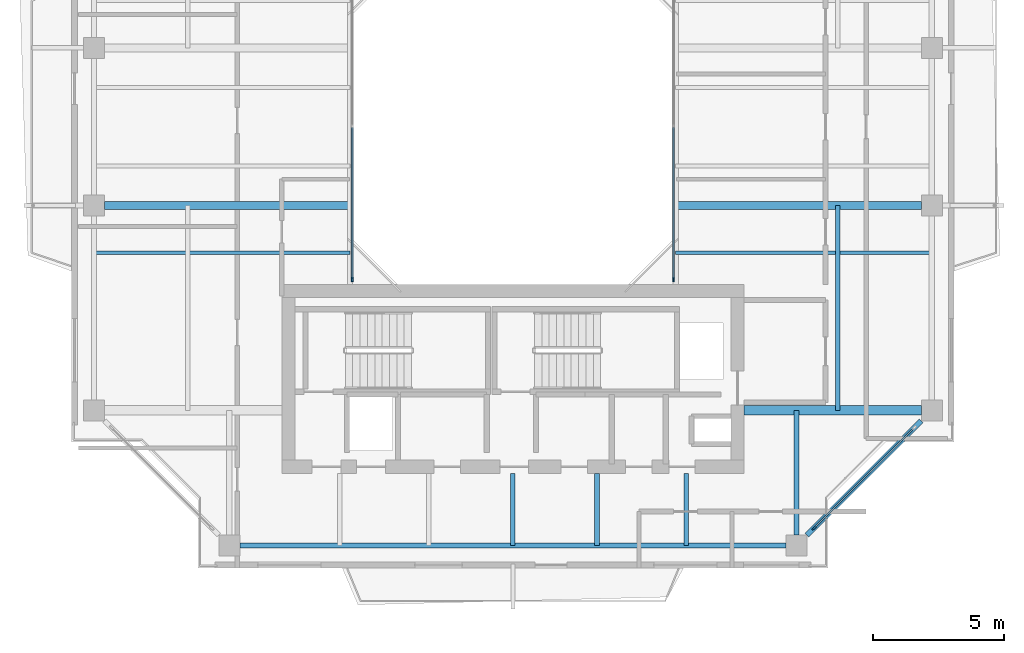
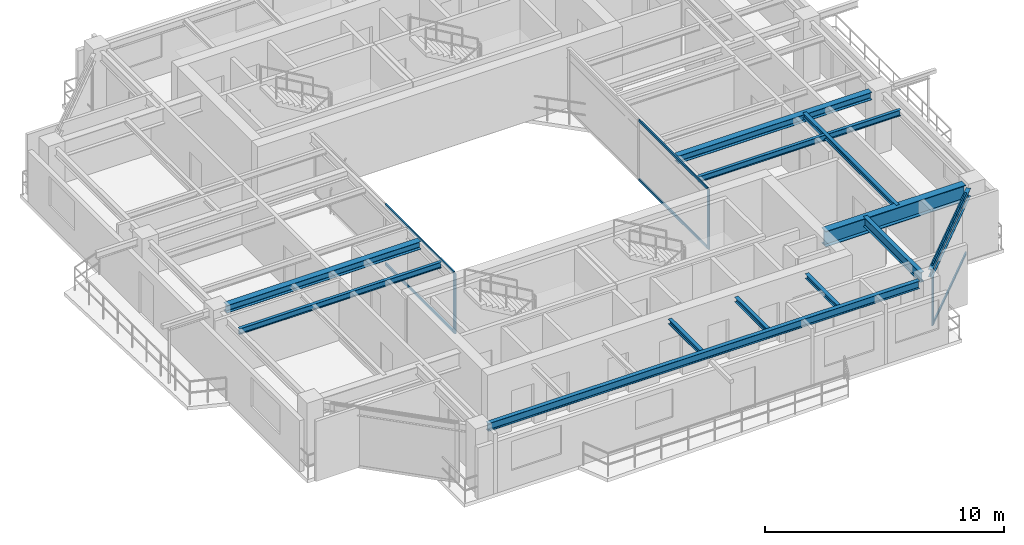
# One storey, part 4 of 15: 12 beams, 9 members, 3 elements without a shape of their own.
"""IFC4 building model written with IfcOpenShell, lengths in metres."""

import ifcopenshell
import ifcopenshell.guid

model = None  # the IFC model being written
_history = None  # IfcOwnerHistory: only IFC2X3 demands one
_inside = {}  # id of a spatial element -> (the spatial element, [elements in it])
_under = {}  # id of a project, library or spatial element -> (it, [spatial elements below it])
_declared = {}  # id of a project -> (the project, [libraries it declares])
_typed = {}  # id of a type object -> (the type object, [elements of that type])
_made_of = {}  # id of a material, layer set ... -> (it, [elements and type objects made of it])


def new_model(schema):
    """Start an empty IFC model of exactly this schema.

    Asked for "IFC4X3", IfcOpenShell would pick the latest addendum, in which some entities
    have other attributes; the version numbers below select the first issue.
    IFC2X3 requires an IfcOwnerHistory on every rooted entity: one is made here for all.
    """
    global model, _history
    if schema == "IFC4X3":
        model = ifcopenshell.file(schema_version=(4, 3, 0, 0))
    else:
        model = ifcopenshell.file(schema=schema)
    _inside.clear()
    _under.clear()
    _declared.clear()
    _typed.clear()
    _made_of.clear()
    _history = None
    if model.schema == "IFC2X3":
        org = make("IfcOrganization", Name="unknown")
        user = make(
            "IfcPersonAndOrganization",
            ThePerson=make("IfcPerson", FamilyName="unknown"),
            TheOrganization=org,
        )
        app = make(
            "IfcApplication",
            ApplicationDeveloper=org,
            Version="unknown",
            ApplicationFullName="unknown",
            ApplicationIdentifier="unknown",
        )
        _history = make(
            "IfcOwnerHistory",
            OwningUser=user,
            OwningApplication=app,
            ChangeAction="ADDED",
            CreationDate=0,
        )
    return model


def make(cls, **values):
    """One entity of the class cls with the attributes given. An attribute that is None is left unset."""
    return model.create_entity(
        cls, **{name: value for name, value in values.items() if value is not None}
    )


def rooted(cls, **values):
    """An entity with a GlobalId (a new one), such as an element, a storey or a relation."""
    return make(cls, GlobalId=ifcopenshell.guid.new(), OwnerHistory=_history, **values)


def si_unit(unit_type, name, prefix=None):
    """IfcSIUnit, for example si_unit("LENGTHUNIT", "METRE", prefix="MILLI")."""
    return make("IfcSIUnit", UnitType=unit_type, Prefix=prefix, Name=name)


def assignment(units):
    """IfcUnitAssignment: the units of a project."""
    return None if units is None else make("IfcUnitAssignment", Units=units)


def point(xyz):
    """IfcCartesianPoint."""
    return None if xyz is None else make("IfcCartesianPoint", Coordinates=xyz)


def direction(xyz):
    """IfcDirection."""
    return None if xyz is None else make("IfcDirection", DirectionRatios=xyz)


def frame(location, z_axis=None, x_axis=None):
    """IfcAxis2Placement3D, a coordinate frame: its origin and axes. An axis left out is left unset."""
    return make(
        "IfcAxis2Placement3D",
        Location=point(location),
        Axis=direction(z_axis),
        RefDirection=direction(x_axis),
    )


def frame_2d(location, x_axis=None):
    """IfcAxis2Placement2D, a coordinate frame in the plane: its origin and x axis."""
    return make(
        "IfcAxis2Placement2D", Location=point(location), RefDirection=direction(x_axis)
    )


def origin():
    """The frame at (0, 0, 0) with its axes left unset."""
    return frame((0.0, 0.0, 0.0))


def origin_2d():
    """The frame at (0, 0) in the plane with its x axis left unset."""
    return frame_2d((0.0, 0.0))


def place(relative_to, where):
    """IfcLocalPlacement: puts the frame where relative to a parent placement (None: the world)."""
    return make(
        "IfcLocalPlacement", PlacementRelTo=relative_to, RelativePlacement=where
    )


def context(
    kind, dimensions, precision=None, world=None, true_north=None, identifier=None
):
    """IfcGeometricRepresentationContext, for example the 3D "Model" context."""
    return make(
        "IfcGeometricRepresentationContext",
        ContextIdentifier=identifier,
        ContextType=kind,
        CoordinateSpaceDimension=dimensions,
        Precision=precision,
        WorldCoordinateSystem=world,
        TrueNorth=true_north,
    )


def subcontext(parent, identifier, kind, view, scale=None):
    """IfcGeometricRepresentationSubContext, for example "Body" below "Model"."""
    return make(
        "IfcGeometricRepresentationSubContext",
        ContextIdentifier=identifier,
        ContextType=kind,
        ParentContext=parent,
        TargetScale=scale,
        TargetView=view,
    )


def project(units=None, contexts=None):
    """IfcProject with its units and contexts."""
    return rooted(
        "IfcProject",
        Name="project",
        RepresentationContexts=contexts,
        UnitsInContext=assignment(units),
    )


def spatial(cls, under=None, at=None, **own):
    """A site, building, storey or space (cls), placed at a placement, below another one or the project."""
    s = rooted(cls, ObjectPlacement=at, **own)
    if under is not None:
        _under.setdefault(under.id(), (under, []))[1].append(s)
    return s


def profile(cls, at=None, kind="AREA", **sizes):
    """A parametric profile (cls). Its sizes go by their IFC names, for example OverallWidth=200.0."""
    return make(cls, ProfileType=kind, Position=at, **sizes)


def rectangle(**sizes):
    """IfcRectangleProfileDef."""
    return profile("IfcRectangleProfileDef", **sizes)


def i_section(**sizes):
    """IfcIShapeProfileDef."""
    return profile("IfcIShapeProfileDef", **sizes)


def extrude(swept, where, along, depth):
    """IfcExtrudedAreaSolid: the profile swept, set in the frame where, extruded along a direction by depth."""
    return make(
        "IfcExtrudedAreaSolid",
        SweptArea=swept,
        Position=where,
        ExtrudedDirection=direction(along),
        Depth=depth,
    )


def shape(context_of_items, identifier, shape_type, items):
    """IfcShapeRepresentation: the items that make up one representation, for example the "Body"."""
    return make(
        "IfcShapeRepresentation",
        ContextOfItems=context_of_items,
        RepresentationIdentifier=identifier,
        RepresentationType=shape_type,
        Items=items,
    )


def source(mapping_origin, context_of_items, identifier, shape_type, items):
    """IfcRepresentationMap: a shape defined once, which mapped items show again and again."""
    return make(
        "IfcRepresentationMap",
        MappingOrigin=mapping_origin,
        MappedRepresentation=shape(context_of_items, identifier, shape_type, items),
    )


def transform(
    local_origin,
    x_axis=None,
    y_axis=None,
    z_axis=None,
    scale=None,
    scale2=None,
    scale3=None,
    uniform=True,
):
    """IfcCartesianTransformationOperator3D, or its non-uniform kind. x_axis, y_axis, z_axis: its Axis1, 2, 3."""
    if uniform:
        return make(
            "IfcCartesianTransformationOperator3D",
            Axis1=direction(x_axis),
            Axis2=direction(y_axis),
            LocalOrigin=point(local_origin),
            Scale=scale,
            Axis3=direction(z_axis),
        )
    return make(
        "IfcCartesianTransformationOperator3DnonUniform",
        Axis1=direction(x_axis),
        Axis2=direction(y_axis),
        LocalOrigin=point(local_origin),
        Scale=scale,
        Axis3=direction(z_axis),
        Scale2=scale2,
        Scale3=scale3,
    )


def mapped(mapping_source, mapping_target):
    """IfcMappedItem: shows the shape of a source again, moved by a transform."""
    return make(
        "IfcMappedItem", MappingSource=mapping_source, MappingTarget=mapping_target
    )


def material(Name=None, Category=None):
    """IfcMaterial."""
    return make("IfcMaterial", Name=Name, Category=Category)


def layer(
    of_material, thickness, ventilated=None, Name=None, Category=None, Priority=None
):
    """IfcMaterialLayer: one layer of a wall or slab, of a material (None: an air gap)."""
    return make(
        "IfcMaterialLayer",
        Material=of_material,
        LayerThickness=thickness,
        IsVentilated=ventilated,
        Name=Name,
        Category=Category,
        Priority=Priority,
    )


def layer_set(layers, Name=None):
    """IfcMaterialLayerSet."""
    return make("IfcMaterialLayerSet", MaterialLayers=layers, LayerSetName=Name)


def material_profile(
    of_material, cross_section, Name=None, Category=None, Priority=None
):
    """IfcMaterialProfile: a cross section and its material."""
    return make(
        "IfcMaterialProfile",
        Name=Name,
        Material=of_material,
        Profile=cross_section,
        Priority=Priority,
        Category=Category,
    )


def profile_set(profiles, Name=None, composite=None):
    """IfcMaterialProfileSet."""
    return make(
        "IfcMaterialProfileSet",
        Name=Name,
        MaterialProfiles=profiles,
        CompositeProfile=composite,
    )


def made_of(thing, what):
    """Note that an element or type object is made of a material, layer set ...; save() writes the relation."""
    if what is not None:
        _made_of.setdefault(what.id(), (what, []))[1].append(thing)
    return thing


def type_object(cls, material=None, **own):
    """A type object (cls), such as IfcWallType, which elements share."""
    return made_of(rooted(cls, **own), material)


def element(
    cls,
    number,
    at=None,
    inside=None,
    cuts=None,
    type_object=None,
    material=None,
    context=None,
    identifier="Body",
    shape_type=None,
    held_by="IfcProductDefinitionShape",
    body=None,
    shapes=None,
    **own,
):
    """One element of the class cls, such as IfcWall. Its Tag is "e" and its number.

    at: its placement. inside: the storey or other place that contains it. cuts: it is an
    opening in that element (IfcRelVoidsElement). A single representation is given by context,
    identifier, shape_type and body (its items); several are given by shapes. held_by: the class
    of the entity that holds the representations. save() writes the other relations.
    """
    e = rooted(cls, Tag="e%d" % number, ObjectPlacement=at, **own)
    if body is not None:
        shapes = [shape(context, identifier, shape_type, body)]
    if shapes is not None:
        e.Representation = make(held_by, Representations=shapes)
    if inside is not None:
        _inside.setdefault(inside.id(), (inside, []))[1].append(e)
    if cuts is not None:
        rooted(
            "IfcRelVoidsElement", RelatingBuildingElement=cuts, RelatedOpeningElement=e
        )
    if type_object is not None:
        _typed.setdefault(type_object.id(), (type_object, []))[1].append(e)
    return made_of(e, material)


def aggregate(whole, parts):
    """IfcRelAggregates: a whole, such as a stair, and the parts it consists of."""
    return rooted("IfcRelAggregates", RelatingObject=whole, RelatedObjects=parts)


def save(model, path):
    """Write the relations noted so far, then the file.

    IfcRelAggregates (storeys below a building ...), IfcRelContainedInSpatialStructure (elements
    in a storey), IfcRelDefinesByType, IfcRelAssociatesMaterial and IfcRelDeclares: one each for
    every whole, place, type object, material and project.
    """
    for whole, parts in _under.values():
        aggregate(whole, parts)
    for where, things in _inside.values():
        rooted(
            "IfcRelContainedInSpatialStructure",
            RelatedElements=things,
            RelatingStructure=where,
        )
    for kind, things in _typed.values():
        rooted("IfcRelDefinesByType", RelatedObjects=things, RelatingType=kind)
    for what, things in _made_of.values():
        rooted("IfcRelAssociatesMaterial", RelatedObjects=things, RelatingMaterial=what)
    for by, libraries in _declared.values():
        rooted("IfcRelDeclares", RelatingContext=by, RelatedDefinitions=libraries)
    model.write(path)


model = new_model("IFC4")

# Units and contexts
model_context = context("Model", 3, precision=1e-05, world=origin(), true_north=direction((0.0, 1.0)))
body_context = subcontext(model_context, "Body", "Model", "MODEL_VIEW")
ifc_project = project(units=[si_unit("LENGTHUNIT", "METRE"), si_unit("AREAUNIT", "SQUARE_METRE"), si_unit("VOLUMEUNIT", "CUBIC_METRE"), si_unit("PLANEANGLEUNIT", "RADIAN"), si_unit("MASSUNIT", "GRAM", prefix="KILO"), si_unit("THERMODYNAMICTEMPERATUREUNIT", "KELVIN"), si_unit("POWERUNIT", "WATT")], contexts=[model_context])

# Site, building, storey
site_placement = place(None, origin())
site = spatial("IfcSite", under=ifc_project, at=site_placement, CompositionType="ELEMENT")
building_placement = place(site_placement, origin())
building = spatial("IfcBuilding", under=site, at=building_placement, Name="Qiaomeng Ring Towers", CompositionType="ELEMENT")
storey_placement = place(building_placement, frame((0.0, 0.0, 219.75)))
storey = spatial("IfcBuildingStorey", under=building, at=storey_placement, Name="L64", CompositionType="ELEMENT", Elevation=219.75)

# Beams
ifc_material_1 = material(Name="Steel Q355B", Category="steel")
ifc_material_profile_1 = material_profile(ifc_material_1, i_section(OverallWidth=0.198974609375, OverallDepth=0.39599609375, WebThickness=0.007080078125, FlangeThickness=0.010986328125, FilletRadius=0.01611328125, at=origin_2d()), Name="HN 396x199x7x11")
ifc_profile_set_1 = profile_set([ifc_material_profile_1], Name="Steel Q355B")
beam_type_1 = type_object("IfcBeamType", Name="STR-BM-HN396", PredefinedType="SPANDREL", material=ifc_profile_set_1)
shared_shape_1 = source(origin(), body_context, "Body", "SweptSolid", [
    extrude(i_section(OverallWidth=0.198974609375, OverallDepth=0.39599609375, WebThickness=0.007080078125, FlangeThickness=0.010986328125, FilletRadius=0.01611328125, at=origin_2d()), origin(), (0.0, 0.0, 1.0), 20.8017578125),
])
beam_1_placement = place(storey_placement, frame((8.59912109375, 7.050048828125, 2.8720703125), z_axis=(1.0, 0.0, 0.0), x_axis=(0.0, 1.0, 0.0)))
element("IfcBeam", 1, at=beam_1_placement, inside=storey, type_object=beam_type_1, Name="L64 beam STR-SP-L64-T1-S1-S2", PredefinedType="SPANDREL", context=body_context, shape_type="MappedRepresentation", body=[
    mapped(shared_shape_1, transform((0.0, 0.0, 0.0), x_axis=(1.0, 0.0, 0.0), y_axis=(0.0, 1.0, 0.0), z_axis=(0.0, 0.0, 1.0), scale=1.0)),
])
shared_shape_2 = source(origin(), body_context, "Body", "SweptSolid", [
    extrude(i_section(OverallWidth=0.198974609375, OverallDepth=0.39599609375, WebThickness=0.007080078125, FlangeThickness=0.010986328125, FilletRadius=0.01611328125, at=origin_2d()), origin(), (0.0, 0.0, 1.0), 6.154052734375),
])
beam_2_placement = place(storey_placement, frame((30.19921875, 7.44921875, 2.8720703125), z_axis=(0.707106781187, 0.707106781187, 0.0), x_axis=(-0.707106781187, 0.707106781187, 0.0)))
element("IfcBeam", 2, at=beam_2_placement, inside=storey, type_object=beam_type_1, Name="L64 beam STR-SP-L64-T1-S2-E1", PredefinedType="SPANDREL", context=body_context, shape_type="MappedRepresentation", body=[
    mapped(shared_shape_2, transform((0.0, 0.0, 0.0), x_axis=(1.0, 0.0, 0.0), y_axis=(0.0, 1.0, 0.0), z_axis=(0.0, 0.0, 1.0), scale=1.0)),
])
ifc_material_2 = material(Name="Steel Q390GJC", Category="steel")
ifc_material_profile_2 = material_profile(ifc_material_2, i_section(OverallWidth=0.35009765625, OverallDepth=0.800048828125, WebThickness=0.01611328125, FlangeThickness=0.028076171875, at=origin_2d()), Name="WH 800x350x16x28")
ifc_profile_set_2 = profile_set([ifc_material_profile_2], Name="Steel Q390GJC")
beam_type_2 = type_object("IfcBeamType", Name="STR-BM-WH800", PredefinedType="BEAM", material=ifc_profile_set_2)
shared_shape_3 = source(origin(), body_context, "Body", "SweptSolid", [
    extrude(i_section(OverallWidth=0.35009765625, OverallDepth=0.800048828125, WebThickness=0.01611328125, FlangeThickness=0.028076171875, at=origin_2d()), origin(), (0.0, 0.0, 1.0), 6.7509765625),
])
beam_3_placement = place(storey_placement, frame((27.800048828125, 12.199951171875, 2.669921875), z_axis=(1.0, 0.0, 0.0), x_axis=(0.0, 1.0, 0.0)))
element("IfcBeam", 3, at=beam_3_placement, inside=storey, type_object=beam_type_2, Name="L64 beam STR-BM-L64-T1-RAD-E1", PredefinedType="BEAM", context=body_context, shape_type="MappedRepresentation", body=[
    mapped(shared_shape_3, transform((0.0, 0.0, 0.0), x_axis=(1.0, 0.0, 0.0), y_axis=(0.0, 1.0, 0.0), z_axis=(0.0, 0.0, 1.0), scale=1.0)),
])
ifc_material_profile_3 = material_profile(ifc_material_1, i_section(OverallWidth=0.300048828125, OverallDepth=0.389892578125, WebThickness=0.010009765625, FlangeThickness=0.01611328125, FilletRadius=0.02197265625, at=origin_2d()), Name="HM 390x300x10x16")
ifc_profile_set_3 = profile_set([ifc_material_profile_3], Name="Steel Q355B")
beam_type_3 = type_object("IfcBeamType", Name="STR-BM-HM390", PredefinedType="BEAM", material=ifc_profile_set_3)
shared_shape_4 = source(origin(), body_context, "Body", "SweptSolid", [
    extrude(i_section(OverallWidth=0.300048828125, OverallDepth=0.389892578125, WebThickness=0.010009765625, FlangeThickness=0.01611328125, FilletRadius=0.02197265625, at=origin_2d()), origin(), (0.0, 0.0, 1.0), 9.35107421875),
])
for number, where, z_axis, x_axis, name in (
    (4, (3.448974609375, 20.0, 2.875), (1.0, 0.0, 0.0), (0.0, 1.0, 0.0), "L64 beam STR-BM-L64-T1-RAD-W2"),
    (5, (25.199951171875, 20.0, 2.875), (1.0, 0.0, 0.0), (0.0, 1.0, 0.0), "L64 beam STR-BM-L64-T1-RAD-E2"),
):
    element("IfcBeam", number, at=place(storey_placement, frame(where, z_axis=z_axis, x_axis=x_axis)), inside=storey, type_object=beam_type_3, Name=name, PredefinedType="BEAM", context=body_context, shape_type="MappedRepresentation", body=[
        mapped(shared_shape_4, transform((0.0, 0.0, 0.0), x_axis=(1.0, 0.0, 0.0), y_axis=(0.0, 1.0, 0.0), z_axis=(0.0, 0.0, 1.0), scale=1.0)),
    ])
ifc_material_profile_4 = material_profile(ifc_material_1, i_section(OverallWidth=0.175048828125, OverallDepth=0.243896484375, WebThickness=0.007080078125, FlangeThickness=0.010986328125, FilletRadius=0.01611328125, at=origin_2d()), Name="HM 244x175x7x11")
ifc_profile_set_4 = profile_set([ifc_material_profile_4], Name="Steel Q355B")
beam_type_4 = type_object("IfcBeamType", Name="STR-BM-HM244", PredefinedType="JOIST", material=ifc_profile_set_4)
shared_shape_5 = source(origin(), body_context, "Body", "SweptSolid", [
    extrude(i_section(OverallWidth=0.175048828125, OverallDepth=0.243896484375, WebThickness=0.007080078125, FlangeThickness=0.010986328125, FilletRadius=0.01611328125, at=origin_2d()), origin(), (0.0, 0.0, 1.0), 2.75),
])
for number, where, z_axis, x_axis, name in (
    (6, (19.0, 7.050048828125, 2.947998046875), (0.0, 1.0, 0.0), (-1.0, 0.0, 0.0), "L64 beam STR-JST-L64-T1S-3"),
    (7, (22.199951171875, 7.050048828125, 2.947998046875), (0.0, 1.0, 0.0), (-1.0, 0.0, 0.0), "L64 beam STR-JST-L64-T1S-4"),
    (8, (25.60009765625, 7.050048828125, 2.947998046875), (0.0, 1.0, 0.0), (-1.0, 0.0, 0.0), "L64 beam STR-JST-L64-T1S-5"),
):
    element("IfcBeam", number, at=place(storey_placement, frame(where, z_axis=z_axis, x_axis=x_axis)), inside=storey, type_object=beam_type_4, Name=name, PredefinedType="JOIST", context=body_context, shape_type="MappedRepresentation", body=[
        mapped(shared_shape_5, transform((0.0, 0.0, 0.0), x_axis=(1.0, 0.0, 0.0), y_axis=(0.0, 1.0, 0.0), z_axis=(0.0, 0.0, 1.0), scale=1.0)),
    ])
ifc_material_profile_5 = material_profile(ifc_material_1, i_section(OverallWidth=0.14990234375, OverallDepth=0.300048828125, WebThickness=0.006591796875, FlangeThickness=0.009033203125, FilletRadius=0.012939453125, at=origin_2d()), Name="HN 300x150x6.5x9")
ifc_profile_set_5 = profile_set([ifc_material_profile_5], Name="Steel Q355B")
beam_type_5 = type_object("IfcBeamType", Name="STR-BM-HN300", PredefinedType="JOIST", material=ifc_profile_set_5)
shared_shape_6 = source(origin(), body_context, "Body", "SweptSolid", [
    extrude(i_section(OverallWidth=0.14990234375, OverallDepth=0.300048828125, WebThickness=0.006591796875, FlangeThickness=0.009033203125, FilletRadius=0.012939453125, at=origin_2d()), origin(), (0.0, 0.0, 1.0), 9.75),
])
for number, where, z_axis, x_axis, name in (
    (9, (3.050048828125, 18.199951171875, 2.919921875), (1.0, 0.0, 0.0), (0.0, 1.0, 0.0), "L64 beam STR-JST-L64-T1W-1"),
    (10, (25.199951171875, 18.199951171875, 2.919921875), (1.0, 0.0, 0.0), (0.0, 1.0, 0.0), "L64 beam STR-JST-L64-T1E-1"),
):
    element("IfcBeam", number, at=place(storey_placement, frame(where, z_axis=z_axis, x_axis=x_axis)), inside=storey, type_object=beam_type_5, Name=name, PredefinedType="JOIST", context=body_context, shape_type="MappedRepresentation", body=[
        mapped(shared_shape_6, transform((0.0, 0.0, 0.0), x_axis=(1.0, 0.0, 0.0), y_axis=(0.0, 1.0, 0.0), z_axis=(0.0, 0.0, 1.0), scale=1.0)),
    ])
shared_shape_7 = source(origin(), body_context, "Body", "SweptSolid", [
    extrude(i_section(OverallWidth=0.175048828125, OverallDepth=0.243896484375, WebThickness=0.007080078125, FlangeThickness=0.010986328125, FilletRadius=0.01611328125, at=origin_2d()), origin(), (0.0, 0.0, 1.0), 7.800048828125),
])
beam_4_placement = place(storey_placement, frame((31.375, 12.199951171875, 2.947998046875), z_axis=(0.0, 1.0, 0.0), x_axis=(-1.0, 0.0, 0.0)))
element("IfcBeam", 11, at=beam_4_placement, inside=storey, type_object=beam_type_4, Name="L64 beam STR-JST-L64-T1C-ES", PredefinedType="JOIST", context=body_context, shape_type="MappedRepresentation", body=[
    mapped(shared_shape_7, transform((0.0, 0.0, 0.0), x_axis=(1.0, 0.0, 0.0), y_axis=(0.0, 1.0, 0.0), z_axis=(0.0, 0.0, 1.0), scale=1.0)),
])
ifc_material_profile_6 = material_profile(ifc_material_1, i_section(OverallWidth=0.198974609375, OverallDepth=0.49609375, WebThickness=0.009033203125, FlangeThickness=0.013916015625, FilletRadius=0.01806640625, at=origin_2d()), Name="HN 496x199x9x14")
ifc_profile_set_6 = profile_set([ifc_material_profile_6], Name="Steel Q355B")
beam_type_6 = type_object("IfcBeamType", Name="STR-BM-HN496", PredefinedType="BEAM", material=ifc_profile_set_6)
shared_shape_8 = source(origin(), body_context, "Body", "SweptSolid", [
    extrude(i_section(OverallWidth=0.198974609375, OverallDepth=0.49609375, WebThickness=0.009033203125, FlangeThickness=0.013916015625, FilletRadius=0.01806640625, at=origin_2d()), origin(), (0.0, 0.0, 1.0), 4.7509765625),
])
beam_5_placement = place(storey_placement, frame((29.800048828125, 7.448974609375, 2.822021484375), z_axis=(0.0, 1.0, 0.0), x_axis=(-1.0, 0.0, 0.0)))
element("IfcBeam", 12, at=beam_5_placement, inside=storey, type_object=beam_type_6, Name="L64 beam STR-BM-L64-T1-RAD-S2", PredefinedType="BEAM", context=body_context, shape_type="MappedRepresentation", body=[
    mapped(shared_shape_8, transform((0.0, 0.0, 0.0), x_axis=(1.0, 0.0, 0.0), y_axis=(0.0, 1.0, 0.0), z_axis=(0.0, 0.0, 1.0), scale=1.0)),
])

# Curtain wall, member
ifc_material_3 = material(Name="Fluorocarbon dark-grey aluminium", Category="aluminium")
ifc_layer_1 = layer(ifc_material_3, 0.139892578125, Name="Fluorocarbon dark-grey aluminium")
ifc_layer_set_1 = layer_set([ifc_layer_1], Name="Fluorocarbon dark-grey aluminium")
curtain_wall_type_1 = type_object("IfcCurtainWallType", Name="ARC-CW-4", PredefinedType="NOTDEFINED", material=ifc_layer_set_1)
curtain_wall_1_placement = place(storey_placement, origin())
curtain_wall_1 = element("IfcCurtainWall", 13, at=curtain_wall_1_placement, inside=storey, type_object=curtain_wall_type_1, Name="L64 Curtain Wall CW4", PredefinedType="NOTDEFINED")
ifc_material_profile_7 = material_profile(ifc_material_3, rectangle(XDim=0.06494140625, YDim=0.159912109375, at=origin_2d()), Name="ALU MULL 65x160")
ifc_profile_set_7 = profile_set([ifc_material_profile_7], Name="Fluorocarbon dark-grey aluminium")
member_type_1 = type_object("IfcMemberType", Name="ARC-CWM-140", PredefinedType="MULLION", material=ifc_profile_set_7)
shared_shape_9 = source(origin(), body_context, "Body", "SweptSolid", [
    extrude(rectangle(XDim=0.06494140625, YDim=0.159912109375, at=origin_2d()), origin(), (0.0, 0.0, 1.0), 3.070068359375),
])
member_1_placement = place(storey_placement, frame((12.8798828125, 17.1826171875, 0.0), z_axis=(0.0, 0.0, 1.0), x_axis=(-1.0, 0.0, 0.0)))
member_1 = element("IfcMember", 14, at=member_1_placement, type_object=member_type_1, Name="CW4 mullion 1", PredefinedType="MULLION", context=body_context, shape_type="MappedRepresentation", body=[
    mapped(shared_shape_9, transform((0.0, 0.0, 0.0), x_axis=(1.0, 0.0, 0.0), y_axis=(0.0, 1.0, 0.0), z_axis=(0.0, 0.0, 1.0), scale=1.0)),
])

curtain_wall_2_placement = place(storey_placement, origin())
curtain_wall_2 = element("IfcCurtainWall", 15, at=curtain_wall_2_placement, inside=storey, type_object=curtain_wall_type_1, Name="L64 Curtain Wall CW4", PredefinedType="NOTDEFINED")
member_2_placement = place(storey_placement, frame((25.1201171875, 17.1826171875, 0.0), z_axis=(0.0, 0.0, 1.0), x_axis=(-1.0, 0.0, 0.0)))
member_2 = element("IfcMember", 16, at=member_2_placement, type_object=member_type_1, Name="CW4 mullion 1", PredefinedType="MULLION", context=body_context, shape_type="MappedRepresentation", body=[
    mapped(shared_shape_9, transform((0.0, 0.0, 0.0), x_axis=(1.0, 0.0, 0.0), y_axis=(0.0, 1.0, 0.0), z_axis=(0.0, 0.0, 1.0), scale=1.0)),
])

# Member
ifc_material_profile_8 = material_profile(ifc_material_3, rectangle(XDim=0.06494140625, YDim=0.1298828125, at=origin_2d()), Name="ALU TRAN 65x130")
ifc_profile_set_8 = profile_set([ifc_material_profile_8], Name="Fluorocarbon dark-grey aluminium")
member_type_2 = type_object("IfcMemberType", Name="ARC-CWT-120", PredefinedType="USERDEFINED", material=ifc_profile_set_8)
shared_shape_10 = source(origin(), body_context, "Body", "SweptSolid", [
    extrude(rectangle(XDim=0.06494140625, YDim=0.1298828125, at=origin_2d()), origin(), (0.0, 0.0, 1.0), 5.75244140625),
])
member_3_placement = place(storey_placement, frame((12.8798828125, 17.215087890625, 0.032470703125), z_axis=(0.0, 1.0, 0.0), x_axis=(-1.0, 0.0, 0.0)))
member_3 = element("IfcMember", 17, at=member_3_placement, type_object=member_type_2, Name="CW4 transom 1.1", ObjectType="TRANSOM", PredefinedType="USERDEFINED", context=body_context, shape_type="MappedRepresentation", body=[
    mapped(shared_shape_10, transform((0.0, 0.0, 0.0), x_axis=(1.0, 0.0, 0.0), y_axis=(0.0, 1.0, 0.0), z_axis=(0.0, 0.0, 1.0), scale=1.0)),
])

member_4_placement = place(storey_placement, frame((12.8798828125, 17.215087890625, 3.03759765625), z_axis=(0.0, 1.0, 0.0), x_axis=(-1.0, 0.0, 0.0)))
member_4 = element("IfcMember", 18, at=member_4_placement, type_object=member_type_2, Name="CW4 transom 1.2", ObjectType="TRANSOM", PredefinedType="USERDEFINED", context=body_context, shape_type="MappedRepresentation", body=[
    mapped(shared_shape_10, transform((0.0, 0.0, 0.0), x_axis=(1.0, 0.0, 0.0), y_axis=(0.0, 1.0, 0.0), z_axis=(0.0, 0.0, 1.0), scale=1.0)),
])

aggregate(curtain_wall_1, [member_1, member_3, member_4])

member_5_placement = place(storey_placement, frame((25.1201171875, 17.215087890625, 0.032470703125), z_axis=(0.0, 1.0, 0.0), x_axis=(-1.0, 0.0, 0.0)))
member_5 = element("IfcMember", 19, at=member_5_placement, type_object=member_type_2, Name="CW4 transom 1.1", ObjectType="TRANSOM", PredefinedType="USERDEFINED", context=body_context, shape_type="MappedRepresentation", body=[
    mapped(shared_shape_10, transform((0.0, 0.0, 0.0), x_axis=(1.0, 0.0, 0.0), y_axis=(0.0, 1.0, 0.0), z_axis=(0.0, 0.0, 1.0), scale=1.0)),
])

member_6_placement = place(storey_placement, frame((25.1201171875, 17.215087890625, 3.03759765625), z_axis=(0.0, 1.0, 0.0), x_axis=(-1.0, 0.0, 0.0)))
member_6 = element("IfcMember", 20, at=member_6_placement, type_object=member_type_2, Name="CW4 transom 1.2", ObjectType="TRANSOM", PredefinedType="USERDEFINED", context=body_context, shape_type="MappedRepresentation", body=[
    mapped(shared_shape_10, transform((0.0, 0.0, 0.0), x_axis=(1.0, 0.0, 0.0), y_axis=(0.0, 1.0, 0.0), z_axis=(0.0, 0.0, 1.0), scale=1.0)),
])

aggregate(curtain_wall_2, [member_2, member_5, member_6])

# Curtain wall, members
ifc_layer_2 = layer(ifc_material_3, 0.14990234375, Name="Fluorocarbon dark-grey aluminium")
ifc_layer_set_2 = layer_set([ifc_layer_2], Name="Fluorocarbon dark-grey aluminium")
curtain_wall_type_2 = type_object("IfcCurtainWallType", Name="ARC-CW-3", PredefinedType="NOTDEFINED", material=ifc_layer_set_2)
curtain_wall_3_placement = place(storey_placement, origin())
curtain_wall_3 = element("IfcCurtainWall", 21, at=curtain_wall_3_placement, inside=storey, type_object=curtain_wall_type_2, Name="L64 Curtain Wall CW3", PredefinedType="NOTDEFINED")
ifc_material_profile_9 = material_profile(ifc_material_3, rectangle(XDim=0.070068359375, YDim=0.179931640625, at=origin_2d()), Name="ALU MULL 70x180")
ifc_profile_set_9 = profile_set([ifc_material_profile_9], Name="Fluorocarbon dark-grey aluminium")
member_type_3 = type_object("IfcMemberType", Name="ARC-CWM-160", PredefinedType="MULLION", material=ifc_profile_set_9)
shared_shape_11 = source(origin(), body_context, "Body", "SweptSolid", [
    extrude(rectangle(XDim=0.070068359375, YDim=0.179931640625, at=origin_2d()), origin(), (0.0, 0.0, 1.0), 3.070068359375),
])
member_7_placement = place(storey_placement, frame((30.46484375, 7.71484375, 0.0), z_axis=(0.0, 0.0, 1.0), x_axis=(-0.707106781187, 0.707106781187, 0.0)))
member_7 = element("IfcMember", 22, at=member_7_placement, type_object=member_type_3, Name="CW3 mullion 1", PredefinedType="MULLION", context=body_context, shape_type="MappedRepresentation", body=[
    mapped(shared_shape_11, transform((0.0, 0.0, 0.0), x_axis=(1.0, 0.0, 0.0), y_axis=(0.0, 1.0, 0.0), z_axis=(0.0, 0.0, 1.0), scale=1.0)),
])
shared_shape_12 = source(origin(), body_context, "Body", "SweptSolid", [
    extrude(rectangle(XDim=0.06494140625, YDim=0.1298828125, at=origin_2d()), origin(), (0.0, 0.0, 1.0), 5.3330078125),
])
member_8_placement = place(storey_placement, frame((30.489501953125, 7.739501953125, 0.032470703125), z_axis=(0.707106781187, 0.707106781187, 0.0), x_axis=(-0.707106781187, 0.707106781187, 0.0)))
member_8 = element("IfcMember", 23, at=member_8_placement, type_object=member_type_2, Name="CW3 transom 1.1", ObjectType="TRANSOM", PredefinedType="USERDEFINED", context=body_context, shape_type="MappedRepresentation", body=[
    mapped(shared_shape_12, transform((0.0, 0.0, 0.0), x_axis=(1.0, 0.0, 0.0), y_axis=(0.0, 1.0, 0.0), z_axis=(0.0, 0.0, 1.0), scale=1.0)),
])
member_9_placement = place(storey_placement, frame((30.489501953125, 7.739501953125, 3.03759765625), z_axis=(0.707106781187, 0.707106781187, 0.0), x_axis=(-0.707106781187, 0.707106781187, 0.0)))
member_9 = element("IfcMember", 24, at=member_9_placement, type_object=member_type_2, Name="CW3 transom 1.2", ObjectType="TRANSOM", PredefinedType="USERDEFINED", context=body_context, shape_type="MappedRepresentation", body=[
    mapped(shared_shape_12, transform((0.0, 0.0, 0.0), x_axis=(1.0, 0.0, 0.0), y_axis=(0.0, 1.0, 0.0), z_axis=(0.0, 0.0, 1.0), scale=1.0)),
])
aggregate(curtain_wall_3, [member_7, member_8, member_9])

save(model, "model.ifc")
